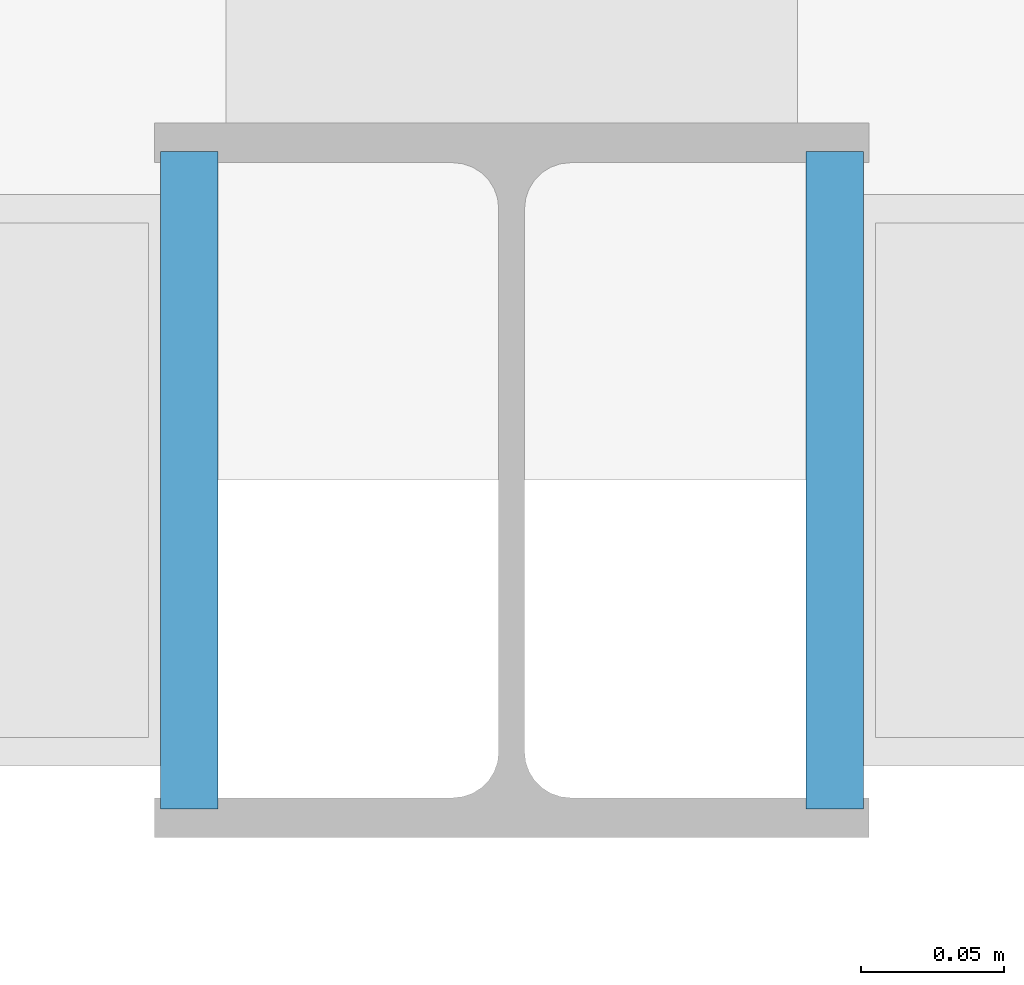
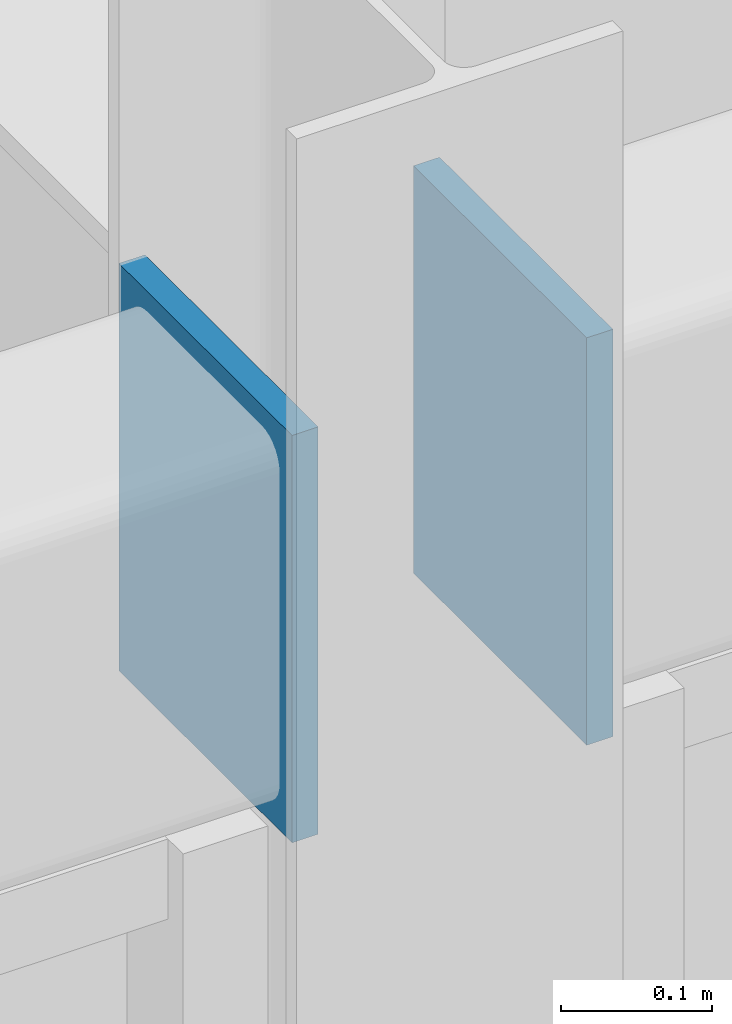
# One storey, part 104 of 184: 2 plates.
"""IFC4 building model written with IfcOpenShell, lengths in metres."""

from ifc_helpers import new_model, si_unit, direction, frame, origin, origin_2d, place, context, subcontext, project, spatial, rectangle, extrude, material, layer, layer_set, type_object, element, save


model = new_model("IFC4")

# Units and contexts
model_context = context("Model", 3, precision=1e-05, world=origin(), true_north=direction((0.0, 1.0)))
body_context = subcontext(model_context, "Body", "Model", "MODEL_VIEW")
ifc_project = project(units=[si_unit("LENGTHUNIT", "METRE"), si_unit("AREAUNIT", "SQUARE_METRE"), si_unit("VOLUMEUNIT", "CUBIC_METRE"), si_unit("PLANEANGLEUNIT", "RADIAN"), si_unit("MASSUNIT", "GRAM", prefix="KILO")], contexts=[model_context])

# Site, building, storey
site_placement = place(None, origin())
site = spatial("IfcSite", under=ifc_project, at=site_placement, CompositionType="ELEMENT")
building_placement = place(site_placement, origin())
building = spatial("IfcBuilding", under=site, at=building_placement, Name="Zhaolan Boulevard Law Courts", CompositionType="ELEMENT")
storey_placement = place(building_placement, frame((0.0, 0.0, 5.39990234375)))
storey = spatial("IfcBuildingStorey", under=building, at=storey_placement, Name="L01", CompositionType="ELEMENT", Elevation=5.39990234375)

# Plates
ifc_material = material(Name="Structural steel Q355B", Category="steel")
ifc_layer = layer(ifc_material, 0.02001953125)
ifc_layer_set = layer_set([ifc_layer])
plate_type = type_object("IfcPlateType", Name="END CAP PLATE 20", PredefinedType="SHEET", material=ifc_layer_set)
for number, where, z_axis, x_axis, name in (
    (1, (26.287109375, 6.0, 4.822998046875), (0.0, 0.0, 1.0), (1.0, 0.0, 0.0), "Hollow Section End-Cap Plate ECP-0688"),
    (2, (26.512939453125, 6.0, 4.822998046875), (0.0, 0.0, 1.0), (1.0, 0.0, 0.0), "Hollow Section End-Cap Plate ECP-0689"),
):
    element("IfcPlate", number, at=place(storey_placement, frame(where, z_axis=z_axis, x_axis=x_axis)), inside=storey, type_object=plate_type, Name=name, PredefinedType="SHEET", context=body_context, shape_type="SweptSolid", body=[
        extrude(rectangle(XDim=0.02001953125, YDim=0.22998046875, at=origin_2d()), origin(), (0.0, 0.0, 1.0), 0.330078125),
    ])

save(model, "model.ifc")
